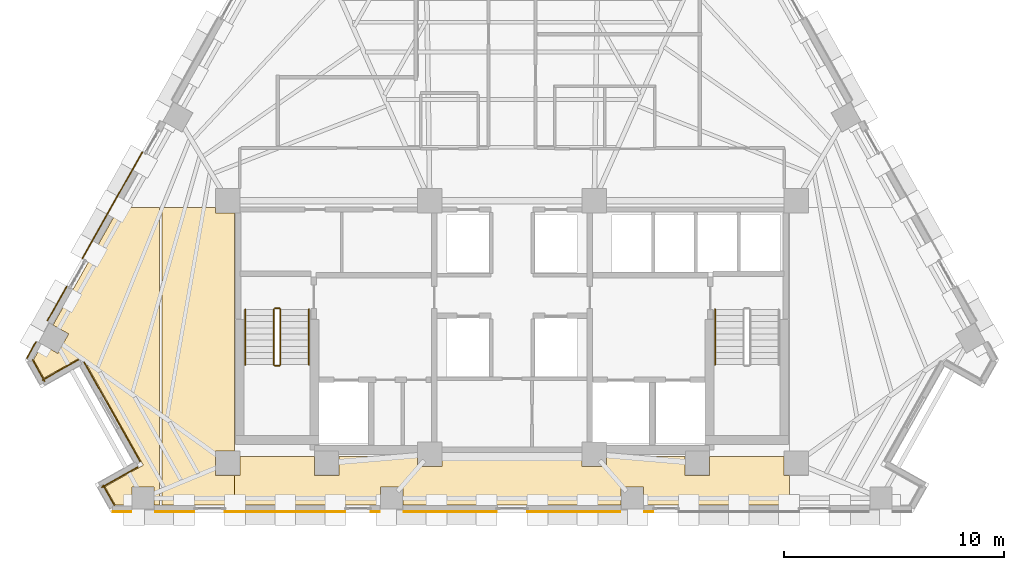
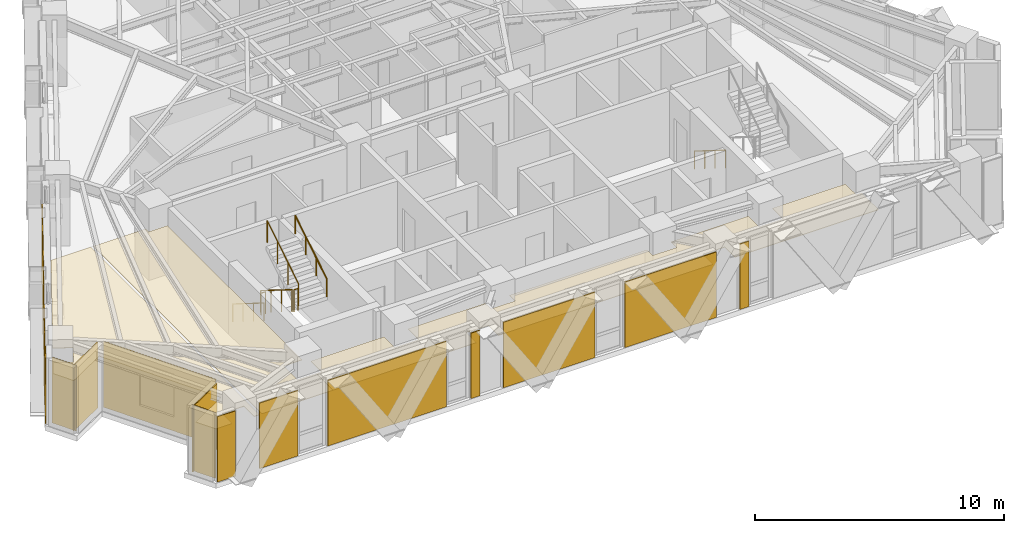
# One storey, part 10 of 13: 18 coverings, 7 railings.
"""IFC4 building model written with IfcOpenShell, lengths in metres."""

import ifcopenshell
import ifcopenshell.guid

model = None  # the IFC model being written
_history = None  # IfcOwnerHistory: only IFC2X3 demands one
_inside = {}  # id of a spatial element -> (the spatial element, [elements in it])
_under = {}  # id of a project, library or spatial element -> (it, [spatial elements below it])
_declared = {}  # id of a project -> (the project, [libraries it declares])
_typed = {}  # id of a type object -> (the type object, [elements of that type])
_made_of = {}  # id of a material, layer set ... -> (it, [elements and type objects made of it])


def new_model(schema):
    """Start an empty IFC model of exactly this schema.

    Asked for "IFC4X3", IfcOpenShell would pick the latest addendum, in which some entities
    have other attributes; the version numbers below select the first issue.
    IFC2X3 requires an IfcOwnerHistory on every rooted entity: one is made here for all.
    """
    global model, _history
    if schema == "IFC4X3":
        model = ifcopenshell.file(schema_version=(4, 3, 0, 0))
    else:
        model = ifcopenshell.file(schema=schema)
    _inside.clear()
    _under.clear()
    _declared.clear()
    _typed.clear()
    _made_of.clear()
    _history = None
    if model.schema == "IFC2X3":
        org = make("IfcOrganization", Name="unknown")
        user = make(
            "IfcPersonAndOrganization",
            ThePerson=make("IfcPerson", FamilyName="unknown"),
            TheOrganization=org,
        )
        app = make(
            "IfcApplication",
            ApplicationDeveloper=org,
            Version="unknown",
            ApplicationFullName="unknown",
            ApplicationIdentifier="unknown",
        )
        _history = make(
            "IfcOwnerHistory",
            OwningUser=user,
            OwningApplication=app,
            ChangeAction="ADDED",
            CreationDate=0,
        )
    return model


def make(cls, **values):
    """One entity of the class cls with the attributes given. An attribute that is None is left unset."""
    return model.create_entity(
        cls, **{name: value for name, value in values.items() if value is not None}
    )


def rooted(cls, **values):
    """An entity with a GlobalId (a new one), such as an element, a storey or a relation."""
    return make(cls, GlobalId=ifcopenshell.guid.new(), OwnerHistory=_history, **values)


def si_unit(unit_type, name, prefix=None):
    """IfcSIUnit, for example si_unit("LENGTHUNIT", "METRE", prefix="MILLI")."""
    return make("IfcSIUnit", UnitType=unit_type, Prefix=prefix, Name=name)


def assignment(units):
    """IfcUnitAssignment: the units of a project."""
    return None if units is None else make("IfcUnitAssignment", Units=units)


def point(xyz):
    """IfcCartesianPoint."""
    return None if xyz is None else make("IfcCartesianPoint", Coordinates=xyz)


def direction(xyz):
    """IfcDirection."""
    return None if xyz is None else make("IfcDirection", DirectionRatios=xyz)


def frame(location, z_axis=None, x_axis=None):
    """IfcAxis2Placement3D, a coordinate frame: its origin and axes. An axis left out is left unset."""
    return make(
        "IfcAxis2Placement3D",
        Location=point(location),
        Axis=direction(z_axis),
        RefDirection=direction(x_axis),
    )


def frame_2d(location, x_axis=None):
    """IfcAxis2Placement2D, a coordinate frame in the plane: its origin and x axis."""
    return make(
        "IfcAxis2Placement2D", Location=point(location), RefDirection=direction(x_axis)
    )


def origin():
    """The frame at (0, 0, 0) with its axes left unset."""
    return frame((0.0, 0.0, 0.0))


def origin_2d():
    """The frame at (0, 0) in the plane with its x axis left unset."""
    return frame_2d((0.0, 0.0))


def place(relative_to, where):
    """IfcLocalPlacement: puts the frame where relative to a parent placement (None: the world)."""
    return make(
        "IfcLocalPlacement", PlacementRelTo=relative_to, RelativePlacement=where
    )


def context(
    kind, dimensions, precision=None, world=None, true_north=None, identifier=None
):
    """IfcGeometricRepresentationContext, for example the 3D "Model" context."""
    return make(
        "IfcGeometricRepresentationContext",
        ContextIdentifier=identifier,
        ContextType=kind,
        CoordinateSpaceDimension=dimensions,
        Precision=precision,
        WorldCoordinateSystem=world,
        TrueNorth=true_north,
    )


def subcontext(parent, identifier, kind, view, scale=None):
    """IfcGeometricRepresentationSubContext, for example "Body" below "Model"."""
    return make(
        "IfcGeometricRepresentationSubContext",
        ContextIdentifier=identifier,
        ContextType=kind,
        ParentContext=parent,
        TargetScale=scale,
        TargetView=view,
    )


def project(units=None, contexts=None):
    """IfcProject with its units and contexts."""
    return rooted(
        "IfcProject",
        Name="project",
        RepresentationContexts=contexts,
        UnitsInContext=assignment(units),
    )


def spatial(cls, under=None, at=None, **own):
    """A site, building, storey or space (cls), placed at a placement, below another one or the project."""
    s = rooted(cls, ObjectPlacement=at, **own)
    if under is not None:
        _under.setdefault(under.id(), (under, []))[1].append(s)
    return s


def polyline(points):
    """IfcPolyline through the points."""
    return make("IfcPolyline", Points=[point(p) for p in points])


def profile(cls, at=None, kind="AREA", **sizes):
    """A parametric profile (cls). Its sizes go by their IFC names, for example OverallWidth=200.0."""
    return make(cls, ProfileType=kind, Position=at, **sizes)


def circle(**sizes):
    """IfcCircleProfileDef."""
    return profile("IfcCircleProfileDef", **sizes)


def outline(outer, holes=None, kind="AREA"):
    """IfcArbitraryClosedProfileDef: a profile drawn as a closed curve; with holes, ...WithVoids."""
    if holes is None:
        return make("IfcArbitraryClosedProfileDef", ProfileType=kind, OuterCurve=outer)
    return make(
        "IfcArbitraryProfileDefWithVoids",
        ProfileType=kind,
        OuterCurve=outer,
        InnerCurves=holes,
    )


def extrude(swept, where, along, depth):
    """IfcExtrudedAreaSolid: the profile swept, set in the frame where, extruded along a direction by depth."""
    return make(
        "IfcExtrudedAreaSolid",
        SweptArea=swept,
        Position=where,
        ExtrudedDirection=direction(along),
        Depth=depth,
    )


def shape(context_of_items, identifier, shape_type, items):
    """IfcShapeRepresentation: the items that make up one representation, for example the "Body"."""
    return make(
        "IfcShapeRepresentation",
        ContextOfItems=context_of_items,
        RepresentationIdentifier=identifier,
        RepresentationType=shape_type,
        Items=items,
    )


def material(Name=None, Category=None):
    """IfcMaterial."""
    return make("IfcMaterial", Name=Name, Category=Category)


def layer(
    of_material, thickness, ventilated=None, Name=None, Category=None, Priority=None
):
    """IfcMaterialLayer: one layer of a wall or slab, of a material (None: an air gap)."""
    return make(
        "IfcMaterialLayer",
        Material=of_material,
        LayerThickness=thickness,
        IsVentilated=ventilated,
        Name=Name,
        Category=Category,
        Priority=Priority,
    )


def layer_set(layers, Name=None):
    """IfcMaterialLayerSet."""
    return make("IfcMaterialLayerSet", MaterialLayers=layers, LayerSetName=Name)


def made_of(thing, what):
    """Note that an element or type object is made of a material, layer set ...; save() writes the relation."""
    if what is not None:
        _made_of.setdefault(what.id(), (what, []))[1].append(thing)
    return thing


def type_object(cls, material=None, **own):
    """A type object (cls), such as IfcWallType, which elements share."""
    return made_of(rooted(cls, **own), material)


def element(
    cls,
    number,
    at=None,
    inside=None,
    cuts=None,
    type_object=None,
    material=None,
    context=None,
    identifier="Body",
    shape_type=None,
    held_by="IfcProductDefinitionShape",
    body=None,
    shapes=None,
    **own,
):
    """One element of the class cls, such as IfcWall. Its Tag is "e" and its number.

    at: its placement. inside: the storey or other place that contains it. cuts: it is an
    opening in that element (IfcRelVoidsElement). A single representation is given by context,
    identifier, shape_type and body (its items); several are given by shapes. held_by: the class
    of the entity that holds the representations. save() writes the other relations.
    """
    e = rooted(cls, Tag="e%d" % number, ObjectPlacement=at, **own)
    if body is not None:
        shapes = [shape(context, identifier, shape_type, body)]
    if shapes is not None:
        e.Representation = make(held_by, Representations=shapes)
    if inside is not None:
        _inside.setdefault(inside.id(), (inside, []))[1].append(e)
    if cuts is not None:
        rooted(
            "IfcRelVoidsElement", RelatingBuildingElement=cuts, RelatedOpeningElement=e
        )
    if type_object is not None:
        _typed.setdefault(type_object.id(), (type_object, []))[1].append(e)
    return made_of(e, material)


def aggregate(whole, parts):
    """IfcRelAggregates: a whole, such as a stair, and the parts it consists of."""
    return rooted("IfcRelAggregates", RelatingObject=whole, RelatedObjects=parts)


def save(model, path):
    """Write the relations noted so far, then the file.

    IfcRelAggregates (storeys below a building ...), IfcRelContainedInSpatialStructure (elements
    in a storey), IfcRelDefinesByType, IfcRelAssociatesMaterial and IfcRelDeclares: one each for
    every whole, place, type object, material and project.
    """
    for whole, parts in _under.values():
        aggregate(whole, parts)
    for where, things in _inside.values():
        rooted(
            "IfcRelContainedInSpatialStructure",
            RelatedElements=things,
            RelatingStructure=where,
        )
    for kind, things in _typed.values():
        rooted("IfcRelDefinesByType", RelatedObjects=things, RelatingType=kind)
    for what, things in _made_of.values():
        rooted("IfcRelAssociatesMaterial", RelatedObjects=things, RelatingMaterial=what)
    for by, libraries in _declared.values():
        rooted("IfcRelDeclares", RelatingContext=by, RelatedDefinitions=libraries)
    model.write(path)


model = new_model("IFC4")

# Units and contexts
model_context = context("Model", 3, precision=1e-05, world=origin(), true_north=direction((0.0, 1.0)))
body_context = subcontext(model_context, "Body", "Model", "MODEL_VIEW")
ifc_project = project(units=[si_unit("LENGTHUNIT", "METRE"), si_unit("AREAUNIT", "SQUARE_METRE"), si_unit("VOLUMEUNIT", "CUBIC_METRE"), si_unit("PLANEANGLEUNIT", "RADIAN"), si_unit("MASSUNIT", "GRAM", prefix="KILO")], contexts=[model_context])

# Site, building, storey
site_placement = place(None, origin())
site = spatial("IfcSite", under=ifc_project, at=site_placement, CompositionType="ELEMENT")
building_placement = place(site_placement, origin())
building = spatial("IfcBuilding", under=site, at=building_placement, Name="Quenlor Broadcast Tower", CompositionType="ELEMENT")
storey_placement = place(building_placement, frame((0.0, 0.0, 151.0)))
storey = spatial("IfcBuildingStorey", under=building, at=storey_placement, Name="L41", CompositionType="ELEMENT", Elevation=151.0)

# Coverings
ifc_material_1 = material(Name="Acoustic Mineral Fibre Board", Category="other")
ifc_layer_1 = layer(ifc_material_1, 0.02490234375)
ifc_layer_set_1 = layer_set([ifc_layer_1], Name="Acoustic Perforated Mineral Tile Ceiling 25")
covering_type_1 = type_object("IfcCoveringType", Name="Acoustic Perforated Mineral Tile Ceiling 25", PredefinedType="CEILING", material=ifc_layer_set_1)
covering_1_placement = place(storey_placement, frame((0.0, 0.0, 2.375)))
element("IfcCovering", 1, at=covering_1_placement, inside=storey, type_object=covering_type_1, Name="L41 Acoustic Ceiling L41-35-4", PredefinedType="CEILING", context=body_context, shape_type="SweptSolid", body=[
    extrude(outline(polyline([(-13.508056640625, -5.35791015625), (-12.64990234375, -5.35791015625), (-12.64990234375, -16.19189453125), (-13.508056640625, -16.19189453125), (-13.508056640625, -17.30810546875), (-12.64990234375, -17.30810546875), (-12.64990234375, -18.659912109375), (-15.93994140625, -18.659912109375), (-15.93994140625, -5.1201171875), (-13.508056640625, -5.1201171875), (-13.508056640625, -5.35791015625)])), origin(), (0.0, 0.0, 1.0), 0.02490234375),
])
covering_2_placement = place(storey_placement, frame((0.0, 0.0, 2.375)))
element("IfcCovering", 2, at=covering_2_placement, inside=storey, type_object=covering_type_1, Name="L41 Acoustic Ceiling L41-35-5", PredefinedType="CEILING", context=body_context, shape_type="SweptSolid", body=[
    extrude(outline(polyline([(-16.06005859375, -18.659912109375), (-16.30029296875, -18.659912109375), (-16.30029296875, -17.842041015625), (-17.31640625, -17.842041015625), (-17.31640625, -18.659912109375), (-18.071044921875, -18.659912109375), (-18.538818359375, -17.82861328125), (-16.795654296875, -16.847900390625), (-19.580322265625, -11.8974609375), (-21.323486328125, -12.878173828125), (-21.794921875, -12.0400390625), (-21.406982421875, -11.350341796875), (-20.694091796875, -11.751220703125), (-20.19580078125, -10.86572265625), (-20.90869140625, -10.46484375), (-17.90234375, -5.1201171875), (-16.06005859375, -5.1201171875), (-16.06005859375, -18.659912109375)])), origin(), (0.0, 0.0, 1.0), 0.02490234375),
])
covering_3_placement = place(storey_placement, frame((0.0, 0.0, 2.375)))
element("IfcCovering", 3, at=covering_3_placement, inside=storey, type_object=covering_type_1, Name="L41 Acoustic Ceiling L41-35-7", PredefinedType="CEILING", context=body_context, shape_type="SweptSolid", body=[
    extrude(outline(polyline([(-12.39208984375, -17.30810546875), (-12.39208984375, -16.449951171875), (-9.008056640625, -16.449951171875), (-9.008056640625, -17.30810546875), (-7.89208984375, -17.30810546875), (-7.89208984375, -16.449951171875), (-4.30810546875, -16.449951171875), (-4.30810546875, -16.907958984375), (-3.19189453125, -16.907958984375), (-3.19189453125, -16.449951171875), (3.19189453125, -16.449951171875), (3.19189453125, -16.907958984375), (4.30810546875, -16.907958984375), (4.30810546875, -16.449951171875), (7.89208984375, -16.449951171875), (7.89208984375, -17.30810546875), (9.008056640625, -17.30810546875), (9.008056640625, -16.449951171875), (12.39208984375, -16.449951171875), (12.39208984375, -17.30810546875), (12.64990234375, -17.30810546875), (12.64990234375, -18.659912109375), (5.989013671875, -18.659912109375), (5.989013671875, -17.842041015625), (4.972900390625, -17.842041015625), (4.972900390625, -18.659912109375), (-4.972900390625, -18.659912109375), (-4.972900390625, -17.842041015625), (-5.989013671875, -17.842041015625), (-5.989013671875, -18.659912109375), (-12.64990234375, -18.659912109375), (-12.64990234375, -17.30810546875), (-12.39208984375, -17.30810546875)])), origin(), (0.0, 0.0, 1.0), 0.02490234375),
])
ifc_material_2 = material(Name="Architectural Terracotta Ceramic", Category="masonry")
ifc_layer_2 = layer(ifc_material_2, 0.044921875)
ifc_layer_set_2 = layer_set([ifc_layer_2], Name="Fluted Terracotta Rainscreen Cladding Panel")
covering_type_2 = type_object("IfcCoveringType", Name="Fluted Terracotta Rainscreen Cladding Panel", PredefinedType="CLADDING", material=ifc_layer_set_2)
covering_4_placement = place(storey_placement, frame((0.0, 0.0, 0.02001953125)))
element("IfcCovering", 4, at=covering_4_placement, inside=storey, type_object=covering_type_2, Name="L41 Terracotta Rainscreen Cladding L41-SHD-SS1", PredefinedType="CLADDING", context=body_context, shape_type="SweptSolid", body=[
    extrude(outline(polyline([(-17.343505859375, -18.93701171875), (-18.179931640625, -18.93701171875), (-18.179931640625, -18.98193359375), (-17.343505859375, -18.98193359375), (-17.343505859375, -18.93701171875)])), origin(), (0.0, 0.0, 1.0), 3.2099609375),
])
covering_5_placement = place(storey_placement, frame((0.0, 0.0, 0.02001953125)))
element("IfcCovering", 5, at=covering_5_placement, inside=storey, type_object=covering_type_2, Name="L41 Terracotta Rainscreen Cladding L41-SA-SP3", PredefinedType="CLADDING", context=body_context, shape_type="SweptSolid", body=[
    extrude(outline(polyline([(6.43603515625, -18.95703125), (6.035888671875, -18.95703125), (6.035888671875, -19.001953125), (6.43603515625, -19.001953125), (6.43603515625, -18.95703125)])), origin(), (0.0, 0.0, 1.0), 3.2099609375),
])
covering_6_placement = place(storey_placement, frame((0.0, 0.0, 0.02001953125)))
element("IfcCovering", 6, at=covering_6_placement, inside=storey, type_object=covering_type_2, Name="L41 Terracotta Rainscreen Cladding L41-SC-SP1", PredefinedType="CLADDING", context=body_context, shape_type="SweptSolid", body=[
    extrude(outline(polyline([(-6.035888671875, -18.95703125), (-6.43603515625, -18.95703125), (-6.43603515625, -19.001953125), (-6.035888671875, -19.001953125), (-6.035888671875, -18.95703125)])), origin(), (0.0, 0.0, 1.0), 3.2099609375),
])
covering_7_placement = place(storey_placement, frame((0.0, 0.0, 0.02001953125)))
element("IfcCovering", 7, at=covering_7_placement, inside=storey, type_object=covering_type_2, Name="L41 Terracotta Rainscreen Cladding L41-SC-SP2", PredefinedType="CLADDING", context=body_context, shape_type="SweptSolid", body=[
    extrude(outline(polyline([(-7.5869140625, -18.95703125), (-13.076904296875, -18.95703125), (-13.076904296875, -19.001953125), (-7.5869140625, -19.001953125), (-7.5869140625, -18.95703125)])), origin(), (0.0, 0.0, 1.0), 3.2099609375),
])
covering_8_placement = place(storey_placement, frame((0.0, 0.0, 0.02001953125)))
element("IfcCovering", 8, at=covering_8_placement, inside=storey, type_object=covering_type_2, Name="L41 Terracotta Rainscreen Cladding L41-SC-SP3", PredefinedType="CLADDING", context=body_context, shape_type="SweptSolid", body=[
    extrude(outline(polyline([(-14.47509765625, -18.95703125), (-16.25341796875, -18.95703125), (-16.25341796875, -19.001953125), (-14.47509765625, -19.001953125), (-14.47509765625, -18.95703125)])), origin(), (0.0, 0.0, 1.0), 3.2099609375),
])
covering_9_placement = place(storey_placement, frame((0.0, 0.0, 0.02001953125)))
element("IfcCovering", 9, at=covering_9_placement, inside=storey, type_object=covering_type_2, Name="L41 Terracotta Rainscreen Cladding L41-S-SP1", PredefinedType="CLADDING", context=body_context, shape_type="SweptSolid", body=[
    extrude(outline(polyline([(4.930908203125, -18.95703125), (0.698974609375, -18.95703125), (0.698974609375, -19.001953125), (4.930908203125, -19.001953125), (4.930908203125, -18.95703125)])), origin(), (0.0, 0.0, 1.0), 3.2099609375),
])
covering_10_placement = place(storey_placement, frame((0.0, 0.0, 0.02001953125)))
element("IfcCovering", 10, at=covering_10_placement, inside=storey, type_object=covering_type_2, Name="L41 Terracotta Rainscreen Cladding L41-S-SP2", PredefinedType="CLADDING", context=body_context, shape_type="SweptSolid", body=[
    extrude(outline(polyline([(-0.698974609375, -18.95703125), (-4.930908203125, -18.95703125), (-4.930908203125, -19.001953125), (-0.698974609375, -19.001953125), (-0.698974609375, -18.95703125)])), origin(), (0.0, 0.0, 1.0), 3.2099609375),
])
covering_11_placement = place(storey_placement, frame((0.0, 0.0, 0.02001953125)))
element("IfcCovering", 11, at=covering_11_placement, inside=storey, type_object=covering_type_2, Name="L41 Terracotta Rainscreen Cladding L41-SHD-NWS0", PredefinedType="CLADDING", context=body_context, shape_type="SweptSolid", body=[
    extrude(outline(polyline([(-22.0859375, -11.992431640625), (-21.66162109375, -11.23779296875), (-21.70068359375, -11.2158203125), (-22.125244140625, -11.970458984375), (-22.0859375, -11.992431640625)])), origin(), (0.0, 0.0, 1.0), 3.2099609375),
])
covering_12_placement = place(storey_placement, frame((0.0, 0.0, 0.02001953125)))
element("IfcCovering", 12, at=covering_12_placement, inside=storey, type_object=covering_type_2, Name="L41 Terracotta Rainscreen Cladding L41-NWA-SP1", PredefinedType="CLADDING", context=body_context, shape_type="SweptSolid", body=[
    extrude(outline(polyline([(-21.14453125, -10.278076171875), (-20.26416015625, -8.712646484375), (-20.30322265625, -8.690673828125), (-21.183837890625, -10.256103515625), (-21.14453125, -10.278076171875)])), origin(), (0.0, 0.0, 1.0), 3.2099609375),
])
covering_13_placement = place(storey_placement, frame((0.0, 0.0, 0.02001953125)))
element("IfcCovering", 13, at=covering_13_placement, inside=storey, type_object=covering_type_2, Name="L41 Terracotta Rainscreen Cladding L41-NWA-SP2", PredefinedType="CLADDING", context=body_context, shape_type="SweptSolid", body=[
    extrude(outline(polyline([(-19.55322265625, -7.44921875), (-16.81591796875, -2.582763671875), (-16.855224609375, -2.560791015625), (-19.592529296875, -7.42724609375), (-19.55322265625, -7.44921875)])), origin(), (0.0, 0.0, 1.0), 3.2099609375),
])
covering_14_placement = place(storey_placement, frame((0.0, 0.0, 0.02001953125)))
element("IfcCovering", 14, at=covering_14_placement, inside=storey, type_object=covering_type_2, Name="L41 Terracotta Rainscreen Cladding L41-CNR-12", PredefinedType="CLADDING", context=body_context, shape_type="SweptSolid", body=[
    extrude(outline(polyline([(-21.864501953125, -12.0546875), (-21.309326171875, -13.0419921875), (-21.27001953125, -13.02001953125), (-21.825439453125, -12.03271484375), (-21.864501953125, -12.0546875)])), origin(), (0.0, 0.0, 1.0), 3.2099609375),
])
covering_15_placement = place(storey_placement, frame((0.0, 0.0, 0.02001953125)))
element("IfcCovering", 15, at=covering_15_placement, inside=storey, type_object=covering_type_2, Name="L41 Terracotta Rainscreen Cladding L41-CNR-13", PredefinedType="CLADDING", context=body_context, shape_type="SweptSolid", body=[
    extrude(outline(polyline([(-21.385986328125, -12.9912109375), (-19.72998046875, -12.059814453125), (-19.752197265625, -12.0205078125), (-21.408203125, -12.9521484375), (-21.385986328125, -12.9912109375)])), origin(), (0.0, 0.0, 1.0), 3.2099609375),
])
covering_16_placement = place(storey_placement, frame((0.0, 0.0, 0.02001953125)))
element("IfcCovering", 16, at=covering_16_placement, inside=storey, type_object=covering_type_2, Name="L41 Terracotta Rainscreen Cladding L41-CNR-14", PredefinedType="CLADDING", context=body_context, shape_type="SweptSolid", body=[
    extrude(outline(polyline([(-19.51708984375, -12.148681640625), (-16.9580078125, -16.6982421875), (-16.918701171875, -16.67626953125), (-19.477783203125, -12.126708984375), (-19.51708984375, -12.148681640625)])), origin(), (0.0, 0.0, 1.0), 3.2099609375),
])
covering_17_placement = place(storey_placement, frame((0.0, 0.0, 0.02001953125)))
element("IfcCovering", 17, at=covering_17_placement, inside=storey, type_object=covering_type_2, Name="L41 Terracotta Rainscreen Cladding L41-CNR-15", PredefinedType="CLADDING", context=body_context, shape_type="SweptSolid", body=[
    extrude(outline(polyline([(-17.046875, -16.911376953125), (-18.702880859375, -17.8427734375), (-18.680908203125, -17.882080078125), (-17.02490234375, -16.950439453125), (-17.046875, -16.911376953125)])), origin(), (0.0, 0.0, 1.0), 3.2099609375),
])
covering_18_placement = place(storey_placement, frame((0.0, 0.0, 0.02001953125)))
element("IfcCovering", 18, at=covering_18_placement, inside=storey, type_object=covering_type_2, Name="L41 Terracotta Rainscreen Cladding L41-CNR-16", PredefinedType="CLADDING", context=body_context, shape_type="SweptSolid", body=[
    extrude(outline(polyline([(-18.652099609375, -17.76611328125), (-18.127685546875, -18.697998046875), (-18.088623046875, -18.67578125), (-18.61279296875, -17.743896484375), (-18.652099609375, -17.76611328125)])), origin(), (0.0, 0.0, 1.0), 3.2099609375),
])

# Railings
ifc_material_3 = material(Name="Anodised Aluminium", Category="aluminium")
railing_type_1 = type_object("IfcRailingType", Name="Stainless Aluminium Wall Handrail 900", PredefinedType="HANDRAIL", material=ifc_material_3)
railing_1_placement = place(storey_placement, frame((-12.14990234375, -9.75, 0.175048828125)))
element("IfcRailing", 19, at=railing_1_placement, inside=storey, type_object=railing_type_1, Name="L41 ST-1 stair handrail 1", PredefinedType="HANDRAIL", context=body_context, shape_type="SweptSolid", body=[
    extrude(circle(Radius=0.02392578125, at=origin_2d()), frame((0.0, 0.0, 0.8759765625), z_axis=(0.0, -0.848007534815, 0.529984170421), x_axis=(1.0, 0.0, 0.0)), (0.0, 0.0, 1.0), 2.9716796875),
    extrude(circle(Radius=0.02099609375, at=origin_2d()), origin(), (0.0, 0.0, 1.0), 0.851806640625),
    extrude(circle(Radius=0.02099609375, at=origin_2d()), frame((0.0, -0.840087890625, 0.52490234375)), (0.0, 0.0, 1.0), 0.851806640625),
    extrude(circle(Radius=0.02099609375, at=origin_2d()), frame((0.0, -1.679931640625, 1.050048828125)), (0.0, 0.0, 1.0), 0.851806640625),
    extrude(circle(Radius=0.02099609375, at=origin_2d()), frame((0.0, -2.52001953125, 1.574951171875)), (0.0, 0.0, 1.0), 0.851806640625),
])
railing_2_placement = place(storey_placement, frame((-9.25, -12.27001953125, 1.925048828125)))
element("IfcRailing", 20, at=railing_2_placement, inside=storey, type_object=railing_type_1, Name="L41 ST-1 stair handrail 2", PredefinedType="HANDRAIL", context=body_context, shape_type="SweptSolid", body=[
    extrude(circle(Radius=0.02392578125, at=origin_2d()), frame((0.0, 0.0, 0.8759765625), z_axis=(0.0, 0.848007534815, 0.529984170421), x_axis=(-1.0, 0.0, 0.0)), (0.0, 0.0, 1.0), 2.9716796875),
    extrude(circle(Radius=0.02099609375, at=origin_2d()), origin(), (0.0, 0.0, 1.0), 0.851806640625),
    extrude(circle(Radius=0.02099609375, at=origin_2d()), frame((0.0, 0.840087890625, 0.52490234375)), (0.0, 0.0, 1.0), 0.851806640625),
    extrude(circle(Radius=0.02099609375, at=origin_2d()), frame((0.0, 1.679931640625, 1.050048828125)), (0.0, 0.0, 1.0), 0.851806640625),
    extrude(circle(Radius=0.02099609375, at=origin_2d()), frame((0.0, 2.52001953125, 1.574951171875)), (0.0, 0.0, 1.0), 0.851806640625),
])
railing_3_placement = place(storey_placement, frame((9.25, -9.75, 0.175048828125)))
element("IfcRailing", 21, at=railing_3_placement, inside=storey, type_object=railing_type_1, Name="L41 ST-2 stair handrail 1", PredefinedType="HANDRAIL", context=body_context, shape_type="SweptSolid", body=[
    extrude(circle(Radius=0.02392578125, at=origin_2d()), frame((0.0, 0.0, 0.8759765625), z_axis=(0.0, -0.848007534815, 0.529984170421), x_axis=(1.0, 0.0, 0.0)), (0.0, 0.0, 1.0), 2.9716796875),
    extrude(circle(Radius=0.02099609375, at=origin_2d()), origin(), (0.0, 0.0, 1.0), 0.851806640625),
    extrude(circle(Radius=0.02099609375, at=origin_2d()), frame((0.0, -0.840087890625, 0.52490234375)), (0.0, 0.0, 1.0), 0.851806640625),
    extrude(circle(Radius=0.02099609375, at=origin_2d()), frame((0.0, -1.679931640625, 1.050048828125)), (0.0, 0.0, 1.0), 0.851806640625),
    extrude(circle(Radius=0.02099609375, at=origin_2d()), frame((0.0, -2.52001953125, 1.574951171875)), (0.0, 0.0, 1.0), 0.851806640625),
])
ifc_material_4 = material(Name="Steel S355", Category="steel")
railing_type_2 = type_object("IfcRailingType", Name="Tubular Steel S355 Stair Guardrail 1100", PredefinedType="BALUSTRADE", material=ifc_material_4)
railing_4_placement = place(storey_placement, frame((-10.85009765625, -9.75, 0.175048828125)))
element("IfcRailing", 22, at=railing_4_placement, inside=storey, type_object=railing_type_2, Name="L41 ST-1 stair guard 1", PredefinedType="BALUSTRADE", context=body_context, shape_type="SweptSolid", body=[
    extrude(circle(Radius=0.02392578125, at=origin_2d()), frame((0.0, 0.0, 1.076171875), z_axis=(0.0, -0.848007534815, 0.529984170421), x_axis=(1.0, 0.0, 0.0)), (0.0, 0.0, 1.0), 2.9716796875),
    extrude(circle(Radius=0.02099609375, at=origin_2d()), origin(), (0.0, 0.0, 1.0), 1.052001953125),
    extrude(circle(Radius=0.02099609375, at=origin_2d()), frame((0.0, -0.840087890625, 0.52490234375)), (0.0, 0.0, 1.0), 1.052001953125),
    extrude(circle(Radius=0.02099609375, at=origin_2d()), frame((0.0, -1.679931640625, 1.050048828125)), (0.0, 0.0, 1.0), 1.052001953125),
    extrude(circle(Radius=0.02099609375, at=origin_2d()), frame((0.0, -2.52001953125, 1.574951171875)), (0.0, 0.0, 1.0), 1.052001953125),
])
railing_5_placement = place(storey_placement, frame((-10.800048828125, -12.320068359375, 1.75)))
element("IfcRailing", 23, at=railing_5_placement, inside=storey, type_object=railing_type_2, Name="L41 ST-1 stair guard 2", PredefinedType="BALUSTRADE", context=body_context, shape_type="SweptSolid", body=[
    extrude(circle(Radius=0.02392578125, at=origin_2d()), frame((0.0, 0.0, 1.076171875), z_axis=(1.0, 0.0, 0.0), x_axis=(0.0, 1.0, 0.0)), (0.0, 0.0, 1.0), 0.199951171875),
    extrude(circle(Radius=0.02099609375, at=origin_2d()), origin(), (0.0, 0.0, 1.0), 1.052001953125),
    extrude(circle(Radius=0.02099609375, at=origin_2d()), frame((0.199951171875, 0.0, 0.0)), (0.0, 0.0, 1.0), 1.052001953125),
])
railing_6_placement = place(storey_placement, frame((-10.550048828125, -12.27001953125, 1.925048828125)))
element("IfcRailing", 24, at=railing_6_placement, inside=storey, type_object=railing_type_2, Name="L41 ST-1 stair guard 3", PredefinedType="BALUSTRADE", context=body_context, shape_type="SweptSolid", body=[
    extrude(circle(Radius=0.02392578125, at=origin_2d()), frame((0.0, 0.0, 1.076171875), z_axis=(0.0, 0.848007534815, 0.529984170421), x_axis=(-1.0, 0.0, 0.0)), (0.0, 0.0, 1.0), 2.9716796875),
    extrude(circle(Radius=0.02099609375, at=origin_2d()), origin(), (0.0, 0.0, 1.0), 1.052001953125),
    extrude(circle(Radius=0.02099609375, at=origin_2d()), frame((0.0, 0.840087890625, 0.52490234375)), (0.0, 0.0, 1.0), 1.052001953125),
    extrude(circle(Radius=0.02099609375, at=origin_2d()), frame((0.0, 1.679931640625, 1.050048828125)), (0.0, 0.0, 1.0), 1.052001953125),
    extrude(circle(Radius=0.02099609375, at=origin_2d()), frame((0.0, 2.52001953125, 1.574951171875)), (0.0, 0.0, 1.0), 1.052001953125),
])
railing_7_placement = place(storey_placement, frame((-10.800048828125, -9.699951171875, 0.0)))
element("IfcRailing", 25, at=railing_7_placement, inside=storey, type_object=railing_type_2, Name="L41 ST-1 stair guard 4", PredefinedType="BALUSTRADE", context=body_context, shape_type="SweptSolid", body=[
    extrude(circle(Radius=0.02392578125, at=origin_2d()), frame((0.0, 0.0, 1.076171875), z_axis=(1.0, 0.0, 0.0), x_axis=(0.0, 1.0, 0.0)), (0.0, 0.0, 1.0), 0.199951171875),
    extrude(circle(Radius=0.02099609375, at=origin_2d()), origin(), (0.0, 0.0, 1.0), 1.052001953125),
    extrude(circle(Radius=0.02099609375, at=origin_2d()), frame((0.199951171875, 0.0, 0.0)), (0.0, 0.0, 1.0), 1.052001953125),
])

save(model, "model.ifc")
